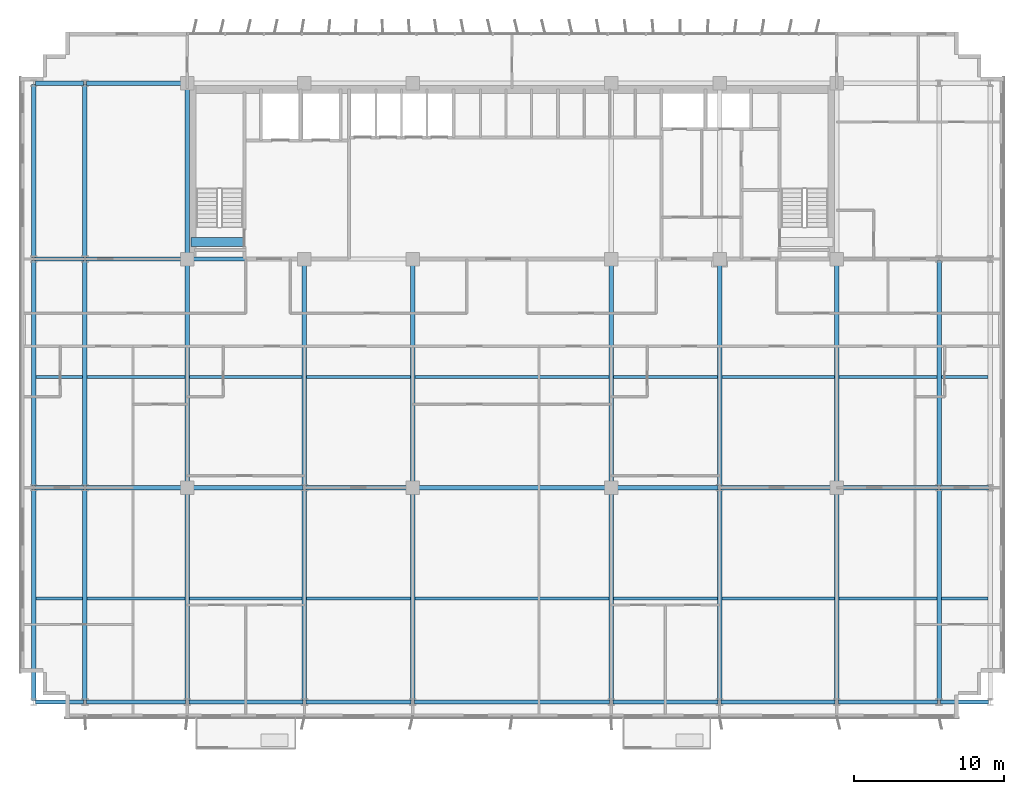
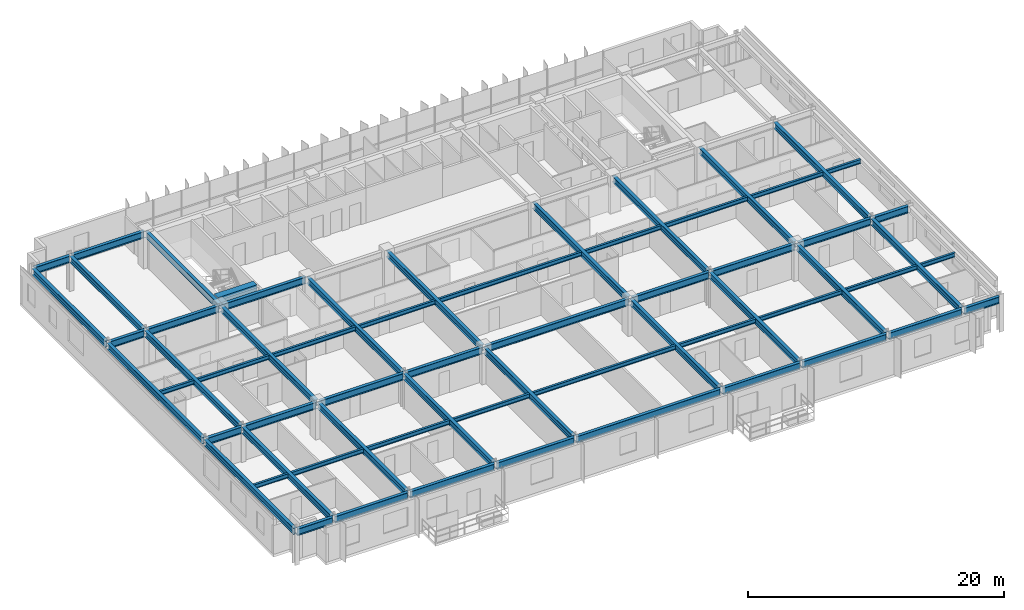
# One storey, part 4 of 22: 63 beams.
"""IFC4 building model written with IfcOpenShell, lengths in metres."""

from ifc_helpers import new_model, si_unit, direction, frame, origin, origin_2d, place, context, subcontext, project, spatial, rectangle, i_section, extrude, source, transform, mapped, material, material_profile, profile_set, type_object, element, save


model = new_model("IFC4")

# Units and contexts
model_context = context("Model", 3, precision=1e-05, world=origin(), true_north=direction((0.0, 1.0)))
body_context = subcontext(model_context, "Body", "Model", "MODEL_VIEW")
ifc_project = project(units=[si_unit("LENGTHUNIT", "METRE"), si_unit("AREAUNIT", "SQUARE_METRE"), si_unit("VOLUMEUNIT", "CUBIC_METRE"), si_unit("PLANEANGLEUNIT", "RADIAN"), si_unit("MASSUNIT", "GRAM", prefix="KILO")], contexts=[model_context])

# Site, building, storey
site_placement = place(None, origin())
site = spatial("IfcSite", under=ifc_project, at=site_placement, CompositionType="ELEMENT")
building_placement = place(site_placement, origin())
building = spatial("IfcBuilding", under=site, at=building_placement, Name="Trelvane Seafront Commons", CompositionType="ELEMENT")
storey_placement = place(building_placement, frame((0.0, 0.0, 45.10009765625)))
storey = spatial("IfcBuildingStorey", under=building, at=storey_placement, Name="L11", CompositionType="ELEMENT", Elevation=45.10009765625)

# Beams
ifc_material_1 = material(Name="Concrete C60/75", Category="concrete")
ifc_material_profile_1 = material_profile(ifc_material_1, rectangle(XDim=0.60009765625, YDim=0.89990234375, at=origin_2d()), Name="RC-600x900")
ifc_profile_set_1 = profile_set([ifc_material_profile_1], Name="Concrete C60/75")
beam_type_1 = type_object("IfcBeamType", Name="STR-LNT-RC600x900", PredefinedType="LINTEL", material=ifc_profile_set_1)
shared_shape_1 = source(origin(), body_context, "Body", "SweptSolid", [
    extrude(rectangle(XDim=0.60009765625, YDim=0.89990234375, at=origin_2d()), origin(), (0.0, 0.0, 1.0), 3.5498046875),
])
beam_1_placement = place(storey_placement, frame((15.85009765625, 34.550048828125, 2.889892578125), z_axis=(1.0, 0.0, 0.0), x_axis=(0.0, 1.0, 0.0)))
element("IfcBeam", 1, at=beam_1_placement, inside=storey, type_object=beam_type_1, Name="L11 Core Coupling Lintel Beam CB-85", PredefinedType="LINTEL", context=body_context, shape_type="MappedRepresentation", body=[
    mapped(shared_shape_1, transform((0.0, 0.0, 0.0), x_axis=(1.0, 0.0, 0.0), y_axis=(0.0, 1.0, 0.0), z_axis=(0.0, 0.0, 1.0), scale=1.0)),
])
ifc_material_2 = material(Name="Steel SM355 (S355)", Category="steel")
ifc_material_profile_2 = material_profile(ifc_material_2, i_section(OverallWidth=0.280029296875, OverallDepth=0.64990234375, WebThickness=0.012939453125, FlangeThickness=0.02197265625, at=origin_2d()), Name="H-650x280x13x22")
ifc_profile_set_2 = profile_set([ifc_material_profile_2], Name="Steel SM355 (S355)")
beam_type_2 = type_object("IfcBeamType", Name="STR-BM-H650", PredefinedType="BEAM", material=ifc_profile_set_2)
shared_shape_2 = source(origin(), body_context, "Body", "SweptSolid", [
    extrude(i_section(OverallWidth=0.280029296875, OverallDepth=0.64990234375, WebThickness=0.012939453125, FlangeThickness=0.02197265625, at=origin_2d()), origin(), (0.0, 0.0, 1.0), 3.190185546875),
])
for number, where, z_axis, x_axis, name in (
    (2, (5.5048828125, 3.949951171875, 3.014892578125), (1.0, 0.0, 0.0), (0.0, 1.0, 0.0), "L11 Primary Girder G-01"),
    (3, (5.5048828125, 18.199951171875, 3.014892578125), (1.0, 0.0, 0.0), (0.0, 1.0, 0.0), "L11 Primary Girder G-10"),
    (4, (5.5048828125, 33.39990234375, 3.014892578125), (1.0, 0.0, 0.0), (0.0, 1.0, 0.0), "L11 Primary Girder G-19"),
    (5, (5.5048828125, 45.10009765625, 3.014892578125), (1.0, 0.0, 0.0), (0.0, 1.0, 0.0), "L11 Primary Girder G-28"),
):
    element("IfcBeam", number, at=place(storey_placement, frame(where, z_axis=z_axis, x_axis=x_axis)), inside=storey, type_object=beam_type_2, Name=name, PredefinedType="BEAM", context=body_context, shape_type="MappedRepresentation", body=[
        mapped(shared_shape_2, transform((0.0, 0.0, 0.0), x_axis=(1.0, 0.0, 0.0), y_axis=(0.0, 1.0, 0.0), z_axis=(0.0, 0.0, 1.0), scale=1.0)),
    ])
shared_shape_3 = source(origin(), body_context, "Body", "SweptSolid", [
    extrude(i_section(OverallWidth=0.280029296875, OverallDepth=0.64990234375, WebThickness=0.012939453125, FlangeThickness=0.02197265625, at=origin_2d()), origin(), (0.0, 0.0, 1.0), 6.590087890625),
])
for number, where, z_axis, x_axis, name in (
    (6, (8.905029296875, 3.949951171875, 3.014892578125), (1.0, 0.0, 0.0), (0.0, 1.0, 0.0), "L11 Primary Girder G-02"),
    (7, (58.905029296875, 3.949951171875, 3.014892578125), (1.0, 0.0, 0.0), (0.0, 1.0, 0.0), "L11 Primary Girder G-08"),
):
    element("IfcBeam", number, at=place(storey_placement, frame(where, z_axis=z_axis, x_axis=x_axis)), inside=storey, type_object=beam_type_2, Name=name, PredefinedType="BEAM", context=body_context, shape_type="MappedRepresentation", body=[
        mapped(shared_shape_3, transform((0.0, 0.0, 0.0), x_axis=(1.0, 0.0, 0.0), y_axis=(0.0, 1.0, 0.0), z_axis=(0.0, 0.0, 1.0), scale=1.0)),
    ])
shared_shape_4 = source(origin(), body_context, "Body", "SweptSolid", [
    extrude(i_section(OverallWidth=0.280029296875, OverallDepth=0.64990234375, WebThickness=0.012939453125, FlangeThickness=0.02197265625, at=origin_2d()), origin(), (0.0, 0.0, 1.0), 7.58984375),
])
beam_2_placement = place(storey_placement, frame((15.705078125, 3.949951171875, 3.014892578125), z_axis=(1.0, 0.0, 0.0), x_axis=(0.0, 1.0, 0.0)))
element("IfcBeam", 8, at=beam_2_placement, inside=storey, type_object=beam_type_2, Name="L11 Primary Girder G-03", PredefinedType="BEAM", context=body_context, shape_type="MappedRepresentation", body=[
    mapped(shared_shape_4, transform((0.0, 0.0, 0.0), x_axis=(1.0, 0.0, 0.0), y_axis=(0.0, 1.0, 0.0), z_axis=(0.0, 0.0, 1.0), scale=1.0)),
])
shared_shape_5 = source(origin(), body_context, "Body", "SweptSolid", [
    extrude(i_section(OverallWidth=0.280029296875, OverallDepth=0.64990234375, WebThickness=0.012939453125, FlangeThickness=0.02197265625, at=origin_2d()), origin(), (0.0, 0.0, 1.0), 6.990234375),
])
beam_3_placement = place(storey_placement, frame((23.5048828125, 3.949951171875, 3.014892578125), z_axis=(1.0, 0.0, 0.0), x_axis=(0.0, 1.0, 0.0)))
element("IfcBeam", 9, at=beam_3_placement, inside=storey, type_object=beam_type_2, Name="L11 Primary Girder G-04", PredefinedType="BEAM", context=body_context, shape_type="MappedRepresentation", body=[
    mapped(shared_shape_5, transform((0.0, 0.0, 0.0), x_axis=(1.0, 0.0, 0.0), y_axis=(0.0, 1.0, 0.0), z_axis=(0.0, 0.0, 1.0), scale=1.0)),
])
shared_shape_6 = source(origin(), body_context, "Body", "SweptSolid", [
    extrude(i_section(OverallWidth=0.280029296875, OverallDepth=0.64990234375, WebThickness=0.012939453125, FlangeThickness=0.02197265625, at=origin_2d()), origin(), (0.0, 0.0, 1.0), 12.989990234375),
])
beam_4_placement = place(storey_placement, frame((30.705078125, 3.949951171875, 3.014892578125), z_axis=(1.0, 0.0, 0.0), x_axis=(0.0, 1.0, 0.0)))
element("IfcBeam", 10, at=beam_4_placement, inside=storey, type_object=beam_type_2, Name="L11 Primary Girder G-05", PredefinedType="BEAM", context=body_context, shape_type="MappedRepresentation", body=[
    mapped(shared_shape_6, transform((0.0, 0.0, 0.0), x_axis=(1.0, 0.0, 0.0), y_axis=(0.0, 1.0, 0.0), z_axis=(0.0, 0.0, 1.0), scale=1.0)),
])
shared_shape_7 = source(origin(), body_context, "Body", "SweptSolid", [
    extrude(i_section(OverallWidth=0.280029296875, OverallDepth=0.64990234375, WebThickness=0.012939453125, FlangeThickness=0.02197265625, at=origin_2d()), origin(), (0.0, 0.0, 1.0), 6.989990234375),
])
beam_5_placement = place(storey_placement, frame((43.905029296875, 3.949951171875, 3.014892578125), z_axis=(1.0, 0.0, 0.0), x_axis=(0.0, 1.0, 0.0)))
element("IfcBeam", 11, at=beam_5_placement, inside=storey, type_object=beam_type_2, Name="L11 Primary Girder G-06", PredefinedType="BEAM", context=body_context, shape_type="MappedRepresentation", body=[
    mapped(shared_shape_7, transform((0.0, 0.0, 0.0), x_axis=(1.0, 0.0, 0.0), y_axis=(0.0, 1.0, 0.0), z_axis=(0.0, 0.0, 1.0), scale=1.0)),
])
shared_shape_8 = source(origin(), body_context, "Body", "SweptSolid", [
    extrude(i_section(OverallWidth=0.280029296875, OverallDepth=0.64990234375, WebThickness=0.012939453125, FlangeThickness=0.02197265625, at=origin_2d()), origin(), (0.0, 0.0, 1.0), 7.590087890625),
])
beam_6_placement = place(storey_placement, frame((51.10498046875, 3.949951171875, 3.014892578125), z_axis=(1.0, 0.0, 0.0), x_axis=(0.0, 1.0, 0.0)))
element("IfcBeam", 12, at=beam_6_placement, inside=storey, type_object=beam_type_2, Name="L11 Primary Girder G-07", PredefinedType="BEAM", context=body_context, shape_type="MappedRepresentation", body=[
    mapped(shared_shape_8, transform((0.0, 0.0, 0.0), x_axis=(1.0, 0.0, 0.0), y_axis=(0.0, 1.0, 0.0), z_axis=(0.0, 0.0, 1.0), scale=1.0)),
])
shared_shape_9 = source(origin(), body_context, "Body", "SweptSolid", [
    extrude(i_section(OverallWidth=0.280029296875, OverallDepth=0.64990234375, WebThickness=0.012939453125, FlangeThickness=0.02197265625, at=origin_2d()), origin(), (0.0, 0.0, 1.0), 3.18994140625),
])
for number, where, z_axis, x_axis, name in (
    (13, (65.705078125, 3.949951171875, 3.014892578125), (1.0, 0.0, 0.0), (0.0, 1.0, 0.0), "L11 Primary Girder G-09"),
    (14, (65.705078125, 18.199951171875, 3.014892578125), (1.0, 0.0, 0.0), (0.0, 1.0, 0.0), "L11 Primary Girder G-18"),
):
    element("IfcBeam", number, at=place(storey_placement, frame(where, z_axis=z_axis, x_axis=x_axis)), inside=storey, type_object=beam_type_2, Name=name, PredefinedType="BEAM", context=body_context, shape_type="MappedRepresentation", body=[
        mapped(shared_shape_9, transform((0.0, 0.0, 0.0), x_axis=(1.0, 0.0, 0.0), y_axis=(0.0, 1.0, 0.0), z_axis=(0.0, 0.0, 1.0), scale=1.0)),
    ])
shared_shape_10 = source(origin(), body_context, "Body", "SweptSolid", [
    extrude(i_section(OverallWidth=0.280029296875, OverallDepth=0.64990234375, WebThickness=0.012939453125, FlangeThickness=0.02197265625, at=origin_2d()), origin(), (0.0, 0.0, 1.0), 6.544921875),
])
for number, where, z_axis, x_axis, name in (
    (15, (8.905029296875, 18.199951171875, 3.014892578125), (1.0, 0.0, 0.0), (0.0, 1.0, 0.0), "L11 Primary Girder G-11"),
    (16, (8.905029296875, 33.39990234375, 3.014892578125), (1.0, 0.0, 0.0), (0.0, 1.0, 0.0), "L11 Primary Girder G-20"),
    (17, (8.905029296875, 45.10009765625, 3.014892578125), (1.0, 0.0, 0.0), (0.0, 1.0, 0.0), "L11 Primary Girder G-29"),
):
    element("IfcBeam", number, at=place(storey_placement, frame(where, z_axis=z_axis, x_axis=x_axis)), inside=storey, type_object=beam_type_2, Name=name, PredefinedType="BEAM", context=body_context, shape_type="MappedRepresentation", body=[
        mapped(shared_shape_10, transform((0.0, 0.0, 0.0), x_axis=(1.0, 0.0, 0.0), y_axis=(0.0, 1.0, 0.0), z_axis=(0.0, 0.0, 1.0), scale=1.0)),
    ])
shared_shape_11 = source(origin(), body_context, "Body", "SweptSolid", [
    extrude(i_section(OverallWidth=0.280029296875, OverallDepth=0.64990234375, WebThickness=0.012939453125, FlangeThickness=0.02197265625, at=origin_2d()), origin(), (0.0, 0.0, 1.0), 7.544921875),
])
for number, where, z_axis, x_axis, name in (
    (18, (15.75, 18.199951171875, 3.014892578125), (1.0, 0.0, 0.0), (0.0, 1.0, 0.0), "L11 Primary Girder G-12"),
    (19, (51.10498046875, 18.199951171875, 3.014892578125), (1.0, 0.0, 0.0), (0.0, 1.0, 0.0), "L11 Primary Girder G-16"),
):
    element("IfcBeam", number, at=place(storey_placement, frame(where, z_axis=z_axis, x_axis=x_axis)), inside=storey, type_object=beam_type_2, Name=name, PredefinedType="BEAM", context=body_context, shape_type="MappedRepresentation", body=[
        mapped(shared_shape_11, transform((0.0, 0.0, 0.0), x_axis=(1.0, 0.0, 0.0), y_axis=(0.0, 1.0, 0.0), z_axis=(0.0, 0.0, 1.0), scale=1.0)),
    ])
shared_shape_12 = source(origin(), body_context, "Body", "SweptSolid", [
    extrude(i_section(OverallWidth=0.280029296875, OverallDepth=0.64990234375, WebThickness=0.012939453125, FlangeThickness=0.02197265625, at=origin_2d()), origin(), (0.0, 0.0, 1.0), 6.945068359375),
])
for number, where, z_axis, x_axis, name in (
    (20, (23.5048828125, 18.199951171875, 3.014892578125), (1.0, 0.0, 0.0), (0.0, 1.0, 0.0), "L11 Primary Girder G-13"),
    (21, (43.949951171875, 18.199951171875, 3.014892578125), (1.0, 0.0, 0.0), (0.0, 1.0, 0.0), "L11 Primary Girder G-15"),
):
    element("IfcBeam", number, at=place(storey_placement, frame(where, z_axis=z_axis, x_axis=x_axis)), inside=storey, type_object=beam_type_2, Name=name, PredefinedType="BEAM", context=body_context, shape_type="MappedRepresentation", body=[
        mapped(shared_shape_12, transform((0.0, 0.0, 0.0), x_axis=(1.0, 0.0, 0.0), y_axis=(0.0, 1.0, 0.0), z_axis=(0.0, 0.0, 1.0), scale=1.0)),
    ])
shared_shape_13 = source(origin(), body_context, "Body", "SweptSolid", [
    extrude(i_section(OverallWidth=0.280029296875, OverallDepth=0.64990234375, WebThickness=0.012939453125, FlangeThickness=0.02197265625, at=origin_2d()), origin(), (0.0, 0.0, 1.0), 12.89990234375),
])
beam_7_placement = place(storey_placement, frame((30.75, 18.199951171875, 3.014892578125), z_axis=(1.0, 0.0, 0.0), x_axis=(0.0, 1.0, 0.0)))
element("IfcBeam", 22, at=beam_7_placement, inside=storey, type_object=beam_type_2, Name="L11 Primary Girder G-14", PredefinedType="BEAM", context=body_context, shape_type="MappedRepresentation", body=[
    mapped(shared_shape_13, transform((0.0, 0.0, 0.0), x_axis=(1.0, 0.0, 0.0), y_axis=(0.0, 1.0, 0.0), z_axis=(0.0, 0.0, 1.0), scale=1.0)),
])
shared_shape_14 = source(origin(), body_context, "Body", "SweptSolid", [
    extrude(i_section(OverallWidth=0.280029296875, OverallDepth=0.64990234375, WebThickness=0.012939453125, FlangeThickness=0.02197265625, at=origin_2d()), origin(), (0.0, 0.0, 1.0), 6.545166015625),
])
beam_8_placement = place(storey_placement, frame((58.949951171875, 18.199951171875, 3.014892578125), z_axis=(1.0, 0.0, 0.0), x_axis=(0.0, 1.0, 0.0)))
element("IfcBeam", 23, at=beam_8_placement, inside=storey, type_object=beam_type_2, Name="L11 Primary Girder G-17", PredefinedType="BEAM", context=body_context, shape_type="MappedRepresentation", body=[
    mapped(shared_shape_14, transform((0.0, 0.0, 0.0), x_axis=(1.0, 0.0, 0.0), y_axis=(0.0, 1.0, 0.0), z_axis=(0.0, 0.0, 1.0), scale=1.0)),
])
shared_shape_15 = source(origin(), body_context, "Body", "SweptSolid", [
    extrude(i_section(OverallWidth=0.280029296875, OverallDepth=0.64990234375, WebThickness=0.012939453125, FlangeThickness=0.02197265625, at=origin_2d()), origin(), (0.0, 0.0, 1.0), 7.5),
])
beam_9_placement = place(storey_placement, frame((15.75, 33.39990234375, 3.014892578125), z_axis=(1.0, 0.0, 0.0), x_axis=(0.0, 1.0, 0.0)))
element("IfcBeam", 24, at=beam_9_placement, inside=storey, type_object=beam_type_2, Name="L11 Primary Girder G-21", PredefinedType="BEAM", context=body_context, shape_type="MappedRepresentation", body=[
    mapped(shared_shape_15, transform((0.0, 0.0, 0.0), x_axis=(1.0, 0.0, 0.0), y_axis=(0.0, 1.0, 0.0), z_axis=(0.0, 0.0, 1.0), scale=1.0)),
])
ifc_material_profile_3 = material_profile(ifc_material_2, i_section(OverallWidth=0.300048828125, OverallDepth=0.587890625, WebThickness=0.011962890625, FlangeThickness=0.02001953125, at=origin_2d()), Name="H-588x300x12x20")
ifc_profile_set_3 = profile_set([ifc_material_profile_3], Name="Steel SM355 (S355)")
beam_type_3 = type_object("IfcBeamType", Name="STR-BM-H588", PredefinedType="BEAM", material=ifc_profile_set_3)
shared_shape_16 = source(origin(), body_context, "Body", "SweptSolid", [
    extrude(i_section(OverallWidth=0.300048828125, OverallDepth=0.587890625, WebThickness=0.011962890625, FlangeThickness=0.02001953125, at=origin_2d()), origin(), (0.0, 0.0, 1.0), 14.0400390625),
])
for number, where, z_axis, x_axis, name in (
    (25, (5.39990234375, 4.054931640625, 3.0458984375), (0.0, 1.0, 0.0), (-1.0, 0.0, 0.0), "L11 Primary Girder G-37"),
    (26, (8.800048828125, 4.054931640625, 3.0458984375), (0.0, 1.0, 0.0), (-1.0, 0.0, 0.0), "L11 Primary Girder G-40"),
    (27, (23.39990234375, 4.054931640625, 3.0458984375), (0.0, 1.0, 0.0), (-1.0, 0.0, 0.0), "L11 Primary Girder G-46"),
    (28, (51.0, 4.054931640625, 3.0458984375), (0.0, 1.0, 0.0), (-1.0, 0.0, 0.0), "L11 Primary Girder G-55"),
    (29, (65.60009765625, 4.054931640625, 3.0458984375), (0.0, 1.0, 0.0), (-1.0, 0.0, 0.0), "L11 Primary Girder G-61"),
):
    element("IfcBeam", number, at=place(storey_placement, frame(where, z_axis=z_axis, x_axis=x_axis)), inside=storey, type_object=beam_type_3, Name=name, PredefinedType="BEAM", context=body_context, shape_type="MappedRepresentation", body=[
        mapped(shared_shape_16, transform((0.0, 0.0, 0.0), x_axis=(1.0, 0.0, 0.0), y_axis=(0.0, 1.0, 0.0), z_axis=(0.0, 0.0, 1.0), scale=1.0)),
    ])
shared_shape_17 = source(origin(), body_context, "Body", "SweptSolid", [
    extrude(i_section(OverallWidth=0.300048828125, OverallDepth=0.587890625, WebThickness=0.011962890625, FlangeThickness=0.02001953125, at=origin_2d()), origin(), (0.0, 0.0, 1.0), 14.989990234375),
])
for number, where, z_axis, x_axis, name in (
    (30, (5.39990234375, 18.304931640625, 3.0458984375), (0.0, 1.0, 0.0), (-1.0, 0.0, 0.0), "L11 Primary Girder G-38"),
    (31, (8.800048828125, 18.304931640625, 3.0458984375), (0.0, 1.0, 0.0), (-1.0, 0.0, 0.0), "L11 Primary Girder G-41"),
    (32, (65.60009765625, 18.304931640625, 3.0458984375), (0.0, 1.0, 0.0), (-1.0, 0.0, 0.0), "L11 Primary Girder G-62"),
):
    element("IfcBeam", number, at=place(storey_placement, frame(where, z_axis=z_axis, x_axis=x_axis)), inside=storey, type_object=beam_type_3, Name=name, PredefinedType="BEAM", context=body_context, shape_type="MappedRepresentation", body=[
        mapped(shared_shape_17, transform((0.0, 0.0, 0.0), x_axis=(1.0, 0.0, 0.0), y_axis=(0.0, 1.0, 0.0), z_axis=(0.0, 0.0, 1.0), scale=1.0)),
    ])
shared_shape_18 = source(origin(), body_context, "Body", "SweptSolid", [
    extrude(i_section(OverallWidth=0.300048828125, OverallDepth=0.587890625, WebThickness=0.011962890625, FlangeThickness=0.02001953125, at=origin_2d()), origin(), (0.0, 0.0, 1.0), 11.490234375),
])
for number, where, z_axis, x_axis, name in (
    (33, (5.39990234375, 33.5048828125, 3.0458984375), (0.0, 1.0, 0.0), (-1.0, 0.0, 0.0), "L11 Primary Girder G-39"),
    (34, (8.800048828125, 33.5048828125, 3.0458984375), (0.0, 1.0, 0.0), (-1.0, 0.0, 0.0), "L11 Primary Girder G-42"),
):
    element("IfcBeam", number, at=place(storey_placement, frame(where, z_axis=z_axis, x_axis=x_axis)), inside=storey, type_object=beam_type_3, Name=name, PredefinedType="BEAM", context=body_context, shape_type="MappedRepresentation", body=[
        mapped(shared_shape_18, transform((0.0, 0.0, 0.0), x_axis=(1.0, 0.0, 0.0), y_axis=(0.0, 1.0, 0.0), z_axis=(0.0, 0.0, 1.0), scale=1.0)),
    ])
shared_shape_19 = source(origin(), body_context, "Body", "SweptSolid", [
    extrude(i_section(OverallWidth=0.300048828125, OverallDepth=0.587890625, WebThickness=0.011962890625, FlangeThickness=0.02001953125, at=origin_2d()), origin(), (0.0, 0.0, 1.0), 13.9951171875),
])
for number, where, z_axis, x_axis, name in (
    (35, (15.60009765625, 4.054931640625, 3.0458984375), (0.0, 1.0, 0.0), (-1.0, 0.0, 0.0), "L11 Primary Girder G-43"),
    (36, (30.60009765625, 4.054931640625, 3.0458984375), (0.0, 1.0, 0.0), (-1.0, 0.0, 0.0), "L11 Primary Girder G-49"),
    (37, (43.800048828125, 4.054931640625, 3.0458984375), (0.0, 1.0, 0.0), (-1.0, 0.0, 0.0), "L11 Primary Girder G-52"),
    (38, (58.800048828125, 4.054931640625, 3.0458984375), (0.0, 1.0, 0.0), (-1.0, 0.0, 0.0), "L11 Primary Girder G-58"),
):
    element("IfcBeam", number, at=place(storey_placement, frame(where, z_axis=z_axis, x_axis=x_axis)), inside=storey, type_object=beam_type_3, Name=name, PredefinedType="BEAM", context=body_context, shape_type="MappedRepresentation", body=[
        mapped(shared_shape_19, transform((0.0, 0.0, 0.0), x_axis=(1.0, 0.0, 0.0), y_axis=(0.0, 1.0, 0.0), z_axis=(0.0, 0.0, 1.0), scale=1.0)),
    ])
shared_shape_20 = source(origin(), body_context, "Body", "SweptSolid", [
    extrude(i_section(OverallWidth=0.300048828125, OverallDepth=0.587890625, WebThickness=0.011962890625, FlangeThickness=0.02001953125, at=origin_2d()), origin(), (0.0, 0.0, 1.0), 14.89990234375),
])
for number, where, z_axis, x_axis, name in (
    (39, (15.60009765625, 18.35009765625, 3.0458984375), (0.0, 1.0, 0.0), (-1.0, 0.0, 0.0), "L11 Primary Girder G-44"),
    (40, (30.60009765625, 18.35009765625, 3.0458984375), (0.0, 1.0, 0.0), (-1.0, 0.0, 0.0), "L11 Primary Girder G-50"),
    (41, (43.800048828125, 18.35009765625, 3.0458984375), (0.0, 1.0, 0.0), (-1.0, 0.0, 0.0), "L11 Primary Girder G-53"),
    (42, (58.800048828125, 18.35009765625, 3.0458984375), (0.0, 1.0, 0.0), (-1.0, 0.0, 0.0), "L11 Primary Girder G-59"),
):
    element("IfcBeam", number, at=place(storey_placement, frame(where, z_axis=z_axis, x_axis=x_axis)), inside=storey, type_object=beam_type_3, Name=name, PredefinedType="BEAM", context=body_context, shape_type="MappedRepresentation", body=[
        mapped(shared_shape_20, transform((0.0, 0.0, 0.0), x_axis=(1.0, 0.0, 0.0), y_axis=(0.0, 1.0, 0.0), z_axis=(0.0, 0.0, 1.0), scale=1.0)),
    ])
shared_shape_21 = source(origin(), body_context, "Body", "SweptSolid", [
    extrude(i_section(OverallWidth=0.300048828125, OverallDepth=0.587890625, WebThickness=0.011962890625, FlangeThickness=0.02001953125, at=origin_2d()), origin(), (0.0, 0.0, 1.0), 11.39990234375),
])
beam_10_placement = place(storey_placement, frame((15.60009765625, 33.550048828125, 3.0458984375), z_axis=(0.0, 1.0, 0.0), x_axis=(-1.0, 0.0, 0.0)))
element("IfcBeam", 43, at=beam_10_placement, inside=storey, type_object=beam_type_3, Name="L11 Primary Girder G-45", PredefinedType="BEAM", context=body_context, shape_type="MappedRepresentation", body=[
    mapped(shared_shape_21, transform((0.0, 0.0, 0.0), x_axis=(1.0, 0.0, 0.0), y_axis=(0.0, 1.0, 0.0), z_axis=(0.0, 0.0, 1.0), scale=1.0)),
])
shared_shape_22 = source(origin(), body_context, "Body", "SweptSolid", [
    extrude(i_section(OverallWidth=0.300048828125, OverallDepth=0.587890625, WebThickness=0.011962890625, FlangeThickness=0.02001953125, at=origin_2d()), origin(), (0.0, 0.0, 1.0), 14.945068359375),
])
for number, where, z_axis, x_axis, name in (
    (44, (23.39990234375, 18.304931640625, 3.0458984375), (0.0, 1.0, 0.0), (-1.0, 0.0, 0.0), "L11 Primary Girder G-47"),
    (45, (51.0, 18.304931640625, 3.0458984375), (0.0, 1.0, 0.0), (-1.0, 0.0, 0.0), "L11 Primary Girder G-56"),
):
    element("IfcBeam", number, at=place(storey_placement, frame(where, z_axis=z_axis, x_axis=x_axis)), inside=storey, type_object=beam_type_3, Name=name, PredefinedType="BEAM", context=body_context, shape_type="MappedRepresentation", body=[
        mapped(shared_shape_22, transform((0.0, 0.0, 0.0), x_axis=(1.0, 0.0, 0.0), y_axis=(0.0, 1.0, 0.0), z_axis=(0.0, 0.0, 1.0), scale=1.0)),
    ])
ifc_material_profile_4 = material_profile(ifc_material_2, i_section(OverallWidth=0.199951171875, OverallDepth=0.39990234375, WebThickness=0.008056640625, FlangeThickness=0.012939453125, at=origin_2d()), Name="H-400x200x8x13")
ifc_profile_set_4 = profile_set([ifc_material_profile_4], Name="Steel SM355 (S355)")
beam_type_4 = type_object("IfcBeamType", Name="STR-JST-H400", PredefinedType="JOIST", material=ifc_profile_set_4)
shared_shape_23 = source(origin(), body_context, "Body", "SweptSolid", [
    extrude(i_section(OverallWidth=0.199951171875, OverallDepth=0.39990234375, WebThickness=0.008056640625, FlangeThickness=0.012939453125, at=origin_2d()), origin(), (0.0, 0.0, 1.0), 3.099853515625),
])
for number, where, z_axis, x_axis, name in (
    (46, (5.550048828125, 10.824951171875, 3.139892578125), (1.0, 0.0, 0.0), (0.0, 1.0, 0.0), "L11 Secondary Floor Joist B-67"),
    (47, (5.550048828125, 25.550048828125, 3.139892578125), (1.0, 0.0, 0.0), (0.0, 1.0, 0.0), "L11 Secondary Floor Joist B-76"),
):
    element("IfcBeam", number, at=place(storey_placement, frame(where, z_axis=z_axis, x_axis=x_axis)), inside=storey, type_object=beam_type_4, Name=name, PredefinedType="JOIST", context=body_context, shape_type="MappedRepresentation", body=[
        mapped(shared_shape_23, transform((0.0, 0.0, 0.0), x_axis=(1.0, 0.0, 0.0), y_axis=(0.0, 1.0, 0.0), z_axis=(0.0, 0.0, 1.0), scale=1.0)),
    ])
shared_shape_24 = source(origin(), body_context, "Body", "SweptSolid", [
    extrude(i_section(OverallWidth=0.199951171875, OverallDepth=0.39990234375, WebThickness=0.008056640625, FlangeThickness=0.012939453125, at=origin_2d()), origin(), (0.0, 0.0, 1.0), 6.5),
])
for number, where, z_axis, x_axis, name in (
    (48, (8.949951171875, 10.824951171875, 3.139892578125), (1.0, 0.0, 0.0), (0.0, 1.0, 0.0), "L11 Secondary Floor Joist B-68"),
    (49, (58.949951171875, 10.824951171875, 3.139892578125), (1.0, 0.0, 0.0), (0.0, 1.0, 0.0), "L11 Secondary Floor Joist B-74"),
    (50, (8.949951171875, 25.550048828125, 3.139892578125), (1.0, 0.0, 0.0), (0.0, 1.0, 0.0), "L11 Secondary Floor Joist B-77"),
    (51, (58.949951171875, 25.550048828125, 3.139892578125), (1.0, 0.0, 0.0), (0.0, 1.0, 0.0), "L11 Secondary Floor Joist B-83"),
):
    element("IfcBeam", number, at=place(storey_placement, frame(where, z_axis=z_axis, x_axis=x_axis)), inside=storey, type_object=beam_type_4, Name=name, PredefinedType="JOIST", context=body_context, shape_type="MappedRepresentation", body=[
        mapped(shared_shape_24, transform((0.0, 0.0, 0.0), x_axis=(1.0, 0.0, 0.0), y_axis=(0.0, 1.0, 0.0), z_axis=(0.0, 0.0, 1.0), scale=1.0)),
    ])
shared_shape_25 = source(origin(), body_context, "Body", "SweptSolid", [
    extrude(i_section(OverallWidth=0.199951171875, OverallDepth=0.39990234375, WebThickness=0.008056640625, FlangeThickness=0.012939453125, at=origin_2d()), origin(), (0.0, 0.0, 1.0), 7.5),
])
for number, where, z_axis, x_axis, name in (
    (52, (15.75, 10.824951171875, 3.139892578125), (1.0, 0.0, 0.0), (0.0, 1.0, 0.0), "L11 Secondary Floor Joist B-69"),
    (53, (51.14990234375, 10.824951171875, 3.139892578125), (1.0, 0.0, 0.0), (0.0, 1.0, 0.0), "L11 Secondary Floor Joist B-73"),
    (54, (15.75, 25.550048828125, 3.139892578125), (1.0, 0.0, 0.0), (0.0, 1.0, 0.0), "L11 Secondary Floor Joist B-78"),
    (55, (51.14990234375, 25.550048828125, 3.139892578125), (1.0, 0.0, 0.0), (0.0, 1.0, 0.0), "L11 Secondary Floor Joist B-82"),
):
    element("IfcBeam", number, at=place(storey_placement, frame(where, z_axis=z_axis, x_axis=x_axis)), inside=storey, type_object=beam_type_4, Name=name, PredefinedType="JOIST", context=body_context, shape_type="MappedRepresentation", body=[
        mapped(shared_shape_25, transform((0.0, 0.0, 0.0), x_axis=(1.0, 0.0, 0.0), y_axis=(0.0, 1.0, 0.0), z_axis=(0.0, 0.0, 1.0), scale=1.0)),
    ])
shared_shape_26 = source(origin(), body_context, "Body", "SweptSolid", [
    extrude(i_section(OverallWidth=0.199951171875, OverallDepth=0.39990234375, WebThickness=0.008056640625, FlangeThickness=0.012939453125, at=origin_2d()), origin(), (0.0, 0.0, 1.0), 6.89990234375),
])
for number, where, z_axis, x_axis, name in (
    (56, (23.550048828125, 10.824951171875, 3.139892578125), (1.0, 0.0, 0.0), (0.0, 1.0, 0.0), "L11 Secondary Floor Joist B-70"),
    (57, (23.550048828125, 25.550048828125, 3.139892578125), (1.0, 0.0, 0.0), (0.0, 1.0, 0.0), "L11 Secondary Floor Joist B-79"),
):
    element("IfcBeam", number, at=place(storey_placement, frame(where, z_axis=z_axis, x_axis=x_axis)), inside=storey, type_object=beam_type_4, Name=name, PredefinedType="JOIST", context=body_context, shape_type="MappedRepresentation", body=[
        mapped(shared_shape_26, transform((0.0, 0.0, 0.0), x_axis=(1.0, 0.0, 0.0), y_axis=(0.0, 1.0, 0.0), z_axis=(0.0, 0.0, 1.0), scale=1.0)),
    ])
shared_shape_27 = source(origin(), body_context, "Body", "SweptSolid", [
    extrude(i_section(OverallWidth=0.199951171875, OverallDepth=0.39990234375, WebThickness=0.008056640625, FlangeThickness=0.012939453125, at=origin_2d()), origin(), (0.0, 0.0, 1.0), 12.89990234375),
])
for number, where, z_axis, x_axis, name in (
    (58, (30.75, 10.824951171875, 3.139892578125), (1.0, 0.0, 0.0), (0.0, 1.0, 0.0), "L11 Secondary Floor Joist B-71"),
    (59, (30.75, 25.550048828125, 3.139892578125), (1.0, 0.0, 0.0), (0.0, 1.0, 0.0), "L11 Secondary Floor Joist B-80"),
):
    element("IfcBeam", number, at=place(storey_placement, frame(where, z_axis=z_axis, x_axis=x_axis)), inside=storey, type_object=beam_type_4, Name=name, PredefinedType="JOIST", context=body_context, shape_type="MappedRepresentation", body=[
        mapped(shared_shape_27, transform((0.0, 0.0, 0.0), x_axis=(1.0, 0.0, 0.0), y_axis=(0.0, 1.0, 0.0), z_axis=(0.0, 0.0, 1.0), scale=1.0)),
    ])
shared_shape_28 = source(origin(), body_context, "Body", "SweptSolid", [
    extrude(i_section(OverallWidth=0.199951171875, OverallDepth=0.39990234375, WebThickness=0.008056640625, FlangeThickness=0.012939453125, at=origin_2d()), origin(), (0.0, 0.0, 1.0), 6.900146484375),
])
for number, where, z_axis, x_axis, name in (
    (60, (43.949951171875, 10.824951171875, 3.139892578125), (1.0, 0.0, 0.0), (0.0, 1.0, 0.0), "L11 Secondary Floor Joist B-72"),
    (61, (43.949951171875, 25.550048828125, 3.139892578125), (1.0, 0.0, 0.0), (0.0, 1.0, 0.0), "L11 Secondary Floor Joist B-81"),
):
    element("IfcBeam", number, at=place(storey_placement, frame(where, z_axis=z_axis, x_axis=x_axis)), inside=storey, type_object=beam_type_4, Name=name, PredefinedType="JOIST", context=body_context, shape_type="MappedRepresentation", body=[
        mapped(shared_shape_28, transform((0.0, 0.0, 0.0), x_axis=(1.0, 0.0, 0.0), y_axis=(0.0, 1.0, 0.0), z_axis=(0.0, 0.0, 1.0), scale=1.0)),
    ])
shared_shape_29 = source(origin(), body_context, "Body", "SweptSolid", [
    extrude(i_section(OverallWidth=0.199951171875, OverallDepth=0.39990234375, WebThickness=0.008056640625, FlangeThickness=0.012939453125, at=origin_2d()), origin(), (0.0, 0.0, 1.0), 3.10009765625),
])
for number, where, z_axis, x_axis, name in (
    (62, (65.75, 10.824951171875, 3.139892578125), (1.0, 0.0, 0.0), (0.0, 1.0, 0.0), "L11 Secondary Floor Joist B-75"),
    (63, (65.75, 25.550048828125, 3.139892578125), (1.0, 0.0, 0.0), (0.0, 1.0, 0.0), "L11 Secondary Floor Joist B-84"),
):
    element("IfcBeam", number, at=place(storey_placement, frame(where, z_axis=z_axis, x_axis=x_axis)), inside=storey, type_object=beam_type_4, Name=name, PredefinedType="JOIST", context=body_context, shape_type="MappedRepresentation", body=[
        mapped(shared_shape_29, transform((0.0, 0.0, 0.0), x_axis=(1.0, 0.0, 0.0), y_axis=(0.0, 1.0, 0.0), z_axis=(0.0, 0.0, 1.0), scale=1.0)),
    ])

save(model, "model.ifc")
